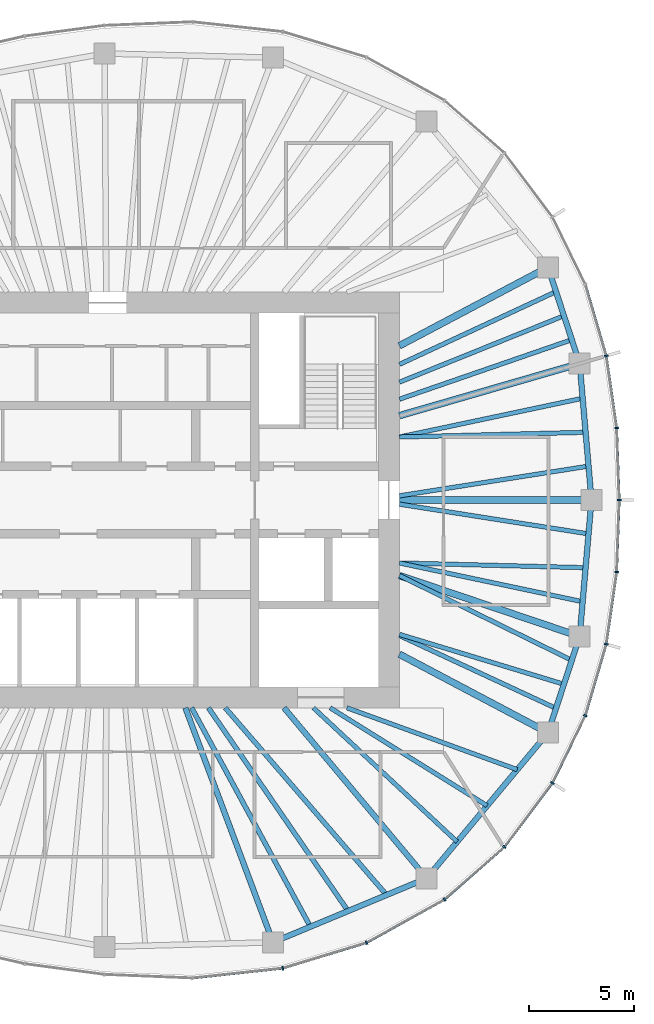
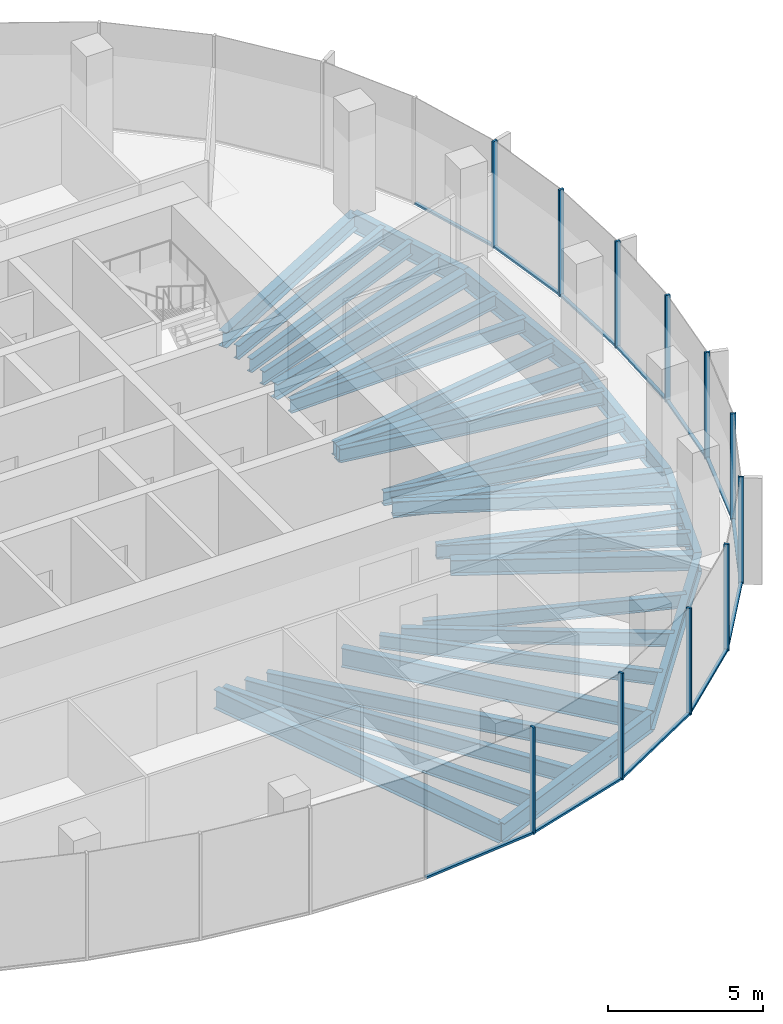
# One storey, part 4 of 11: 31 beams, 23 members, 7 elements without a shape of their own.
"""IFC4 building model written with IfcOpenShell, lengths in metres."""

from ifc_helpers import new_model, si_unit, direction, frame, origin, origin_2d, place, context, subcontext, project, spatial, rectangle, i_section, extrude, material, material_profile, profile_set, type_object, element, aggregate, save


model = new_model("IFC4")

# Units and contexts
model_context = context("Model", 3, precision=1e-05, world=origin(), true_north=direction((0.0, 1.0)))
body_context = subcontext(model_context, "Body", "Model", "MODEL_VIEW")
ifc_project = project(units=[si_unit("LENGTHUNIT", "METRE"), si_unit("AREAUNIT", "SQUARE_METRE"), si_unit("VOLUMEUNIT", "CUBIC_METRE"), si_unit("PLANEANGLEUNIT", "RADIAN"), si_unit("MASSUNIT", "GRAM", prefix="KILO")], contexts=[model_context])

# Site, building, storey
site_placement = place(None, origin())
site = spatial("IfcSite", under=ifc_project, at=site_placement, CompositionType="ELEMENT")
building_placement = place(site_placement, origin())
building = spatial("IfcBuilding", under=site, at=building_placement, Name="Ghaith Harvest Tower", CompositionType="ELEMENT")
storey_placement = place(building_placement, frame((0.0, 0.0, 309.0)))
storey = spatial("IfcBuildingStorey", under=building, at=storey_placement, Name="L69", CompositionType="ELEMENT", Elevation=309.0)

# Curtain wall, members
ifc_material_1 = material(Name="Black anodised aluminium and fritted glass", Category="aluminium")
curtain_wall_type = type_object("IfcCurtainWallType", Name="CW-T CURTAIN WALL", PredefinedType="NOTDEFINED", material=ifc_material_1)
curtain_wall_1_placement = place(storey_placement, origin())
curtain_wall_1 = element("IfcCurtainWall", 1, at=curtain_wall_1_placement, inside=storey, type_object=curtain_wall_type, Name="Curtain wall CW-T bay 01 L69", PredefinedType="NOTDEFINED")
ifc_material_2 = material(Name="Aluminium, black anodised", Category="aluminium")
ifc_material_profile_1 = material_profile(ifc_material_2, rectangle(XDim=0.080078125, YDim=0.179931640625, at=origin_2d()), Name="CW-T MULLION 80x180")
ifc_profile_set_1 = profile_set([ifc_material_profile_1], Name="Aluminium, black anodised")
member_type_1 = type_object("IfcMemberType", Name="CW-T MULLION 80x180", PredefinedType="MULLION", material=ifc_profile_set_1)
member_1_placement = place(storey_placement, frame((24.3701171875, 0.0, 0.0), z_axis=(0.0, 0.0, 1.0), x_axis=(5.2e-11, 1.0, 0.0)))
member_1 = element("IfcMember", 2, at=member_1_placement, type_object=member_type_1, Name="CW-T mullion 1 bay 01 L69", PredefinedType="MULLION", context=body_context, shape_type="SweptSolid", body=[
    extrude(rectangle(XDim=0.080078125, YDim=0.179931640625, at=origin_2d()), origin(), (0.0, 0.0, 1.0), 4.199951171875),
])
member_2_placement = place(storey_placement, frame((24.247802734375, 3.433837890625, 0.0), z_axis=(0.0, 0.0, 1.0), x_axis=(-0.089502202236, 0.995986624305, 0.0)))
member_2 = element("IfcMember", 3, at=member_2_placement, type_object=member_type_1, Name="CW-T mullion 2 bay 01 L69", PredefinedType="MULLION", context=body_context, shape_type="SweptSolid", body=[
    extrude(rectangle(XDim=0.080078125, YDim=0.179931640625, at=origin_2d()), origin(), (0.0, 0.0, 1.0), 4.199951171875),
])

# Curtain wall, member
curtain_wall_2_placement = place(storey_placement, origin())
curtain_wall_2 = element("IfcCurtainWall", 4, at=curtain_wall_2_placement, inside=storey, type_object=curtain_wall_type, Name="Curtain wall CW-T bay 02 L69", PredefinedType="NOTDEFINED")
member_3_placement = place(storey_placement, frame((23.753173828125, 6.865234375, 0.0), z_axis=(0.0, 0.0, 1.0), x_axis=(-0.21340203233, 0.976964468442, 0.0)))
member_3 = element("IfcMember", 5, at=member_3_placement, type_object=member_type_1, Name="CW-T mullion 1 bay 02 L69", PredefinedType="MULLION", context=body_context, shape_type="SweptSolid", body=[
    extrude(rectangle(XDim=0.080078125, YDim=0.179931640625, at=origin_2d()), origin(), (0.0, 0.0, 1.0), 4.199951171875),
])

# Curtain wall, members
curtain_wall_3_placement = place(storey_placement, origin())
curtain_wall_3 = element("IfcCurtainWall", 6, at=curtain_wall_3_placement, inside=storey, type_object=curtain_wall_type, Name="Curtain wall CW-T bay 17 L69", PredefinedType="NOTDEFINED")
member_4_placement = place(storey_placement, frame((8.33984375, -22.308837890625, 0.0), z_axis=(0.0, 0.0, 1.0), x_axis=(0.980000193265, 0.198996535647, 0.0)))
member_4 = element("IfcMember", 7, at=member_4_placement, type_object=member_type_1, Name="CW-T mullion 1 bay 17 L69", PredefinedType="MULLION", context=body_context, shape_type="SweptSolid", body=[
    extrude(rectangle(XDim=0.080078125, YDim=0.179931640625, at=origin_2d()), origin(), (0.0, 0.0, 1.0), 4.199951171875),
])
member_5_placement = place(storey_placement, frame((12.334228515625, -21.091796875, 0.0), z_axis=(0.0, 0.0, 1.0), x_axis=(0.920319269335, 0.391168048914, 0.0)))
member_5 = element("IfcMember", 8, at=member_5_placement, type_object=member_type_1, Name="CW-T mullion 2 bay 17 L69", PredefinedType="MULLION", context=body_context, shape_type="SweptSolid", body=[
    extrude(rectangle(XDim=0.080078125, YDim=0.179931640625, at=origin_2d()), origin(), (0.0, 0.0, 1.0), 4.199951171875),
])

curtain_wall_4_placement = place(storey_placement, origin())
curtain_wall_4 = element("IfcCurtainWall", 9, at=curtain_wall_4_placement, inside=storey, type_object=curtain_wall_type, Name="Curtain wall CW-T bay 18 L69", PredefinedType="NOTDEFINED")
member_6_placement = place(storey_placement, frame((16.04931640625, -19.031982421875, 0.0), z_axis=(0.0, 0.0, 1.0), x_axis=(0.821112053644, 0.570767023715, 0.0)))
member_6 = element("IfcMember", 10, at=member_6_placement, type_object=member_type_1, Name="CW-T mullion 1 bay 18 L69", PredefinedType="MULLION", context=body_context, shape_type="SweptSolid", body=[
    extrude(rectangle(XDim=0.080078125, YDim=0.179931640625, at=origin_2d()), origin(), (0.0, 0.0, 1.0), 4.199951171875),
])
member_7_placement = place(storey_placement, frame((18.901123046875, -16.527099609375, 0.0), z_axis=(0.0, 0.0, 1.0), x_axis=(0.679660897254, 0.733526458108, 0.0)))
member_7 = element("IfcMember", 11, at=member_7_placement, type_object=member_type_1, Name="CW-T mullion 2 bay 18 L69", PredefinedType="MULLION", context=body_context, shape_type="SweptSolid", body=[
    extrude(rectangle(XDim=0.080078125, YDim=0.179931640625, at=origin_2d()), origin(), (0.0, 0.0, 1.0), 4.199951171875),
])

curtain_wall_5_placement = place(storey_placement, origin())
curtain_wall_5 = element("IfcCurtainWall", 12, at=curtain_wall_5_placement, inside=storey, type_object=curtain_wall_type, Name="Curtain wall CW-T bay 19 L69", PredefinedType="NOTDEFINED")
member_8_placement = place(storey_placement, frame((21.18896484375, -13.48486328125, 0.0), z_axis=(0.0, 0.0, 1.0), x_axis=(0.524482238715, 0.85142138878, 0.0)))
member_8 = element("IfcMember", 13, at=member_8_placement, type_object=member_type_1, Name="CW-T mullion 1 bay 19 L69", PredefinedType="MULLION", context=body_context, shape_type="SweptSolid", body=[
    extrude(rectangle(XDim=0.080078125, YDim=0.179931640625, at=origin_2d()), origin(), (0.0, 0.0, 1.0), 4.199951171875),
])
member_9_placement = place(storey_placement, frame((22.754150390625, -10.272216796875, 0.0), z_axis=(0.0, 0.0, 1.0), x_axis=(0.361184273904, 0.932494461262, 0.0)))
member_9 = element("IfcMember", 14, at=member_9_placement, type_object=member_type_1, Name="CW-T mullion 2 bay 19 L69", PredefinedType="MULLION", context=body_context, shape_type="SweptSolid", body=[
    extrude(rectangle(XDim=0.080078125, YDim=0.179931640625, at=origin_2d()), origin(), (0.0, 0.0, 1.0), 4.199951171875),
])

curtain_wall_6_placement = place(storey_placement, origin())
curtain_wall_6 = element("IfcCurtainWall", 15, at=curtain_wall_6_placement, inside=storey, type_object=curtain_wall_type, Name="Curtain wall CW-T bay 20 L69", PredefinedType="NOTDEFINED")
member_10_placement = place(storey_placement, frame((23.753173828125, -6.865234375, 0.0), z_axis=(0.0, 0.0, 1.0), x_axis=(0.213402032501, 0.976964468404, 0.0)))
member_10 = element("IfcMember", 16, at=member_10_placement, type_object=member_type_1, Name="CW-T mullion 1 bay 20 L69", PredefinedType="MULLION", context=body_context, shape_type="SweptSolid", body=[
    extrude(rectangle(XDim=0.080078125, YDim=0.179931640625, at=origin_2d()), origin(), (0.0, 0.0, 1.0), 4.199951171875),
])
member_11_placement = place(storey_placement, frame((24.247802734375, -3.433837890625, 0.0), z_axis=(0.0, 0.0, 1.0), x_axis=(0.089502202305, 0.995986624299, 0.0)))
member_11 = element("IfcMember", 17, at=member_11_placement, type_object=member_type_1, Name="CW-T mullion 2 bay 20 L69", PredefinedType="MULLION", context=body_context, shape_type="SweptSolid", body=[
    extrude(rectangle(XDim=0.080078125, YDim=0.179931640625, at=origin_2d()), origin(), (0.0, 0.0, 1.0), 4.199951171875),
])

# Member
ifc_material_3 = material(Name="Aluminium, black anodised", Category="aluminium")
ifc_material_profile_2 = material_profile(ifc_material_3, rectangle(XDim=0.1201171875, YDim=0.080078125, at=origin_2d()), Name="CW-T TRANSOM 120x80")
ifc_profile_set_2 = profile_set([ifc_material_profile_2], Name="Aluminium, black anodised")
member_type_2 = type_object("IfcMemberType", Name="CW-T TRANSOM 120x80", PredefinedType="USERDEFINED", material=ifc_profile_set_2)
member_12_placement = place(storey_placement, frame((24.36865234375, 0.0400390625, 0.0400390625), z_axis=(-0.035574759537, 0.999367017909, 0.0), x_axis=(-0.999367017909, -0.035574759537, 0.0)))
member_12 = element("IfcMember", 18, at=member_12_placement, type_object=member_type_2, Name="CW-T transom 1 bay 01 L69", ObjectType="TRANSOM", PredefinedType="USERDEFINED", context=body_context, shape_type="SweptSolid", body=[
    extrude(rectangle(XDim=0.1201171875, YDim=0.080078125, at=origin_2d()), origin(), (0.0, 0.0, 1.0), 3.35595703125),
])

member_13_placement = place(storey_placement, frame((24.2421875, 3.473388671875, 0.0400390625), z_axis=(-0.142733224301, 0.989761196795, 0.0), x_axis=(-0.989761196795, -0.142733224301, 0.0)))
member_13 = element("IfcMember", 19, at=member_13_placement, type_object=member_type_2, Name="CW-T transom 2 bay 01 L69", ObjectType="TRANSOM", PredefinedType="USERDEFINED", context=body_context, shape_type="SweptSolid", body=[
    extrude(rectangle(XDim=0.1201171875, YDim=0.080078125, at=origin_2d()), origin(), (0.0, 0.0, 1.0), 3.38671875),
])

aggregate(curtain_wall_1, [member_1, member_12, member_2, member_13])

member_14_placement = place(storey_placement, frame((23.741943359375, 6.903564453125, 0.0400390625), z_axis=(-0.281385475469, 0.95959481772, 0.0), x_axis=(-0.95959481772, -0.281385475469, 0.0)))
member_14 = element("IfcMember", 20, at=member_14_placement, type_object=member_type_2, Name="CW-T transom 1 bay 02 L69", ObjectType="TRANSOM", PredefinedType="USERDEFINED", context=body_context, shape_type="SweptSolid", body=[
    extrude(rectangle(XDim=0.1201171875, YDim=0.080078125, at=origin_2d()), origin(), (0.0, 0.0, 1.0), 3.470458984375),
])

aggregate(curtain_wall_2, [member_3, member_14])

# Curtain wall, member
curtain_wall_7_placement = place(storey_placement, origin())
curtain_wall_7 = element("IfcCurtainWall", 21, at=curtain_wall_7_placement, inside=storey, type_object=curtain_wall_type, Name="Curtain wall CW-T bay 16 L69", PredefinedType="NOTDEFINED")
member_15_placement = place(storey_placement, frame((4.077392578125, -22.772216796875, 0.0400390625), z_axis=(0.994144463069, 0.108059180768, 0.0), x_axis=(-0.108059180768, 0.994144463069, 0.0)))
member_15 = element("IfcMember", 22, at=member_15_placement, type_object=member_type_2, Name="CW-T transom 2 bay 16 L69", ObjectType="TRANSOM", PredefinedType="USERDEFINED", context=body_context, shape_type="SweptSolid", body=[
    extrude(rectangle(XDim=0.1201171875, YDim=0.080078125, at=origin_2d()), origin(), (0.0, 0.0, 1.0), 4.24755859375),
])
aggregate(curtain_wall_7, [member_15])

# Member
member_16_placement = place(storey_placement, frame((8.378173828125, -22.297119140625, 0.0400390625), z_axis=(0.956593713342, 0.291424891858, 0.0), x_axis=(-0.291424891858, 0.956593713342, 0.0)))
member_16 = element("IfcMember", 23, at=member_16_placement, type_object=member_type_2, Name="CW-T transom 1 bay 17 L69", ObjectType="TRANSOM", PredefinedType="USERDEFINED", context=body_context, shape_type="SweptSolid", body=[
    extrude(rectangle(XDim=0.1201171875, YDim=0.080078125, at=origin_2d()), origin(), (0.0, 0.0, 1.0), 4.095703125),
])

member_17_placement = place(storey_placement, frame((12.369384765625, -21.072509765625, 0.0400390625), z_axis=(0.874552130553, 0.484931511603, 0.0), x_axis=(-0.484931511603, 0.874552130553, 0.0)))
member_17 = element("IfcMember", 24, at=member_17_placement, type_object=member_type_2, Name="CW-T transom 2 bay 17 L69", ObjectType="TRANSOM", PredefinedType="USERDEFINED", context=body_context, shape_type="SweptSolid", body=[
    extrude(rectangle(XDim=0.1201171875, YDim=0.080078125, at=origin_2d()), origin(), (0.0, 0.0, 1.0), 4.16748046875),
])

aggregate(curtain_wall_3, [member_4, member_16, member_5, member_17])

member_18_placement = place(storey_placement, frame((16.079345703125, -19.005615234375, 0.0400390625), z_axis=(0.751325799984, 0.659931467865, 0.0), x_axis=(-0.659931467865, 0.751325799984, 0.0)))
member_18 = element("IfcMember", 25, at=member_18_placement, type_object=member_type_2, Name="CW-T transom 1 bay 18 L69", ObjectType="TRANSOM", PredefinedType="USERDEFINED", context=body_context, shape_type="SweptSolid", body=[
    extrude(rectangle(XDim=0.1201171875, YDim=0.080078125, at=origin_2d()), origin(), (0.0, 0.0, 1.0), 3.7158203125),
])

member_19_placement = place(storey_placement, frame((18.925048828125, -16.4951171875, 0.0400390625), z_axis=(0.601079103045, 0.799189534392, 0.0), x_axis=(-0.799189534392, 0.601079103045, 0.0)))
member_19 = element("IfcMember", 26, at=member_19_placement, type_object=member_type_2, Name="CW-T transom 2 bay 18 L69", ObjectType="TRANSOM", PredefinedType="USERDEFINED", context=body_context, shape_type="SweptSolid", body=[
    extrude(rectangle(XDim=0.1201171875, YDim=0.080078125, at=origin_2d()), origin(), (0.0, 0.0, 1.0), 3.7265625),
])

aggregate(curtain_wall_4, [member_6, member_18, member_7, member_19])

member_20_placement = place(storey_placement, frame((21.20654296875, -13.448974609375, 0.0400390625), z_axis=(0.437965078712, 0.898991985408, 0.0), x_axis=(-0.898991985408, 0.437965078712, 0.0)))
member_20 = element("IfcMember", 27, at=member_20_placement, type_object=member_type_2, Name="CW-T transom 1 bay 19 L69", ObjectType="TRANSOM", PredefinedType="USERDEFINED", context=body_context, shape_type="SweptSolid", body=[
    extrude(rectangle(XDim=0.1201171875, YDim=0.080078125, at=origin_2d()), origin(), (0.0, 0.0, 1.0), 3.493408203125),
])

member_21_placement = place(storey_placement, frame((22.765380859375, -10.23388671875, 0.0400390625), z_axis=(0.281385475469, 0.95959481772, 0.0), x_axis=(-0.95959481772, 0.281385475469, 0.0)))
member_21 = element("IfcMember", 28, at=member_21_placement, type_object=member_type_2, Name="CW-T transom 2 bay 19 L69", ObjectType="TRANSOM", PredefinedType="USERDEFINED", context=body_context, shape_type="SweptSolid", body=[
    extrude(rectangle(XDim=0.1201171875, YDim=0.080078125, at=origin_2d()), origin(), (0.0, 0.0, 1.0), 3.470458984375),
])

aggregate(curtain_wall_5, [member_8, member_20, member_9, member_21])

member_22_placement = place(storey_placement, frame((23.7587890625, -6.825439453125, 0.0400390625), z_axis=(0.142733224301, 0.989761196795, 0.0), x_axis=(-0.989761196795, 0.142733224301, 0.0)))
member_22 = element("IfcMember", 29, at=member_22_placement, type_object=member_type_2, Name="CW-T transom 1 bay 20 L69", ObjectType="TRANSOM", PredefinedType="USERDEFINED", context=body_context, shape_type="SweptSolid", body=[
    extrude(rectangle(XDim=0.1201171875, YDim=0.080078125, at=origin_2d()), origin(), (0.0, 0.0, 1.0), 3.38671875),
])

member_23_placement = place(storey_placement, frame((24.249267578125, -3.393798828125, 0.0400390625), z_axis=(0.035574759537, 0.999367017909, 0.0), x_axis=(-0.999367017909, 0.035574759537, 0.0)))
member_23 = element("IfcMember", 30, at=member_23_placement, type_object=member_type_2, Name="CW-T transom 2 bay 20 L69", ObjectType="TRANSOM", PredefinedType="USERDEFINED", context=body_context, shape_type="SweptSolid", body=[
    extrude(rectangle(XDim=0.1201171875, YDim=0.080078125, at=origin_2d()), origin(), (0.0, 0.0, 1.0), 3.35595703125),
])

aggregate(curtain_wall_6, [member_10, member_22, member_11, member_23])

# Beams
ifc_material_4 = material(Name="Steel ASTM A992 Grade 50", Category="steel")
ifc_material_profile_3 = material_profile(ifc_material_4, i_section(OverallWidth=0.26611328125, OverallDepth=0.758056640625, WebThickness=0.013916015625, FlangeThickness=0.019287109375, at=origin_2d()), Name="W760X161")
ifc_profile_set_3 = profile_set([ifc_material_profile_3], Name="Steel ASTM A992 Grade 50")
beam_type_1 = type_object("IfcBeamType", Name="E760-161 W760X161", PredefinedType="SPANDREL", material=ifc_profile_set_3)
beam_1_placement = place(storey_placement, frame((23.050048828125, 0.0, -0.549072265625), z_axis=(-0.086600547306, 0.996243115513, 0.0), x_axis=(-0.996243115513, -0.086600547306, 0.0)))
element("IfcBeam", 31, at=beam_1_placement, inside=storey, type_object=beam_type_1, Name="Edge beam E01 L69", PredefinedType="SPANDREL", context=body_context, shape_type="SweptSolid", body=[
    extrude(i_section(OverallWidth=0.26611328125, OverallDepth=0.758056640625, WebThickness=0.013916015625, FlangeThickness=0.019287109375, at=origin_2d()), origin(), (0.0, 0.0, 1.0), 6.5234375),
])
beam_2_placement = place(storey_placement, frame((22.485107421875, 6.4990234375, -0.549072265625), z_axis=(-0.312206727278, 0.950014189074, 0.0), x_axis=(-0.950014189074, -0.312206727278, 0.0)))
element("IfcBeam", 32, at=beam_2_placement, inside=storey, type_object=beam_type_1, Name="Edge beam E02 L69", PredefinedType="SPANDREL", context=body_context, shape_type="SweptSolid", body=[
    extrude(i_section(OverallWidth=0.26611328125, OverallDepth=0.758056640625, WebThickness=0.013916015625, FlangeThickness=0.019287109375, at=origin_2d()), origin(), (0.0, 0.0, 1.0), 4.830322265625),
])
beam_3_placement = place(storey_placement, frame((7.8779296875, -21.072021484375, -0.549072265625), z_axis=(0.923119729219, 0.384512633766, 0.0), x_axis=(-0.384512633766, 0.923119729219, 0.0)))
element("IfcBeam", 33, at=beam_3_placement, inside=storey, type_object=beam_type_1, Name="Edge beam E17 L69", PredefinedType="SPANDREL", context=body_context, shape_type="SweptSolid", body=[
    extrude(i_section(OverallWidth=0.26611328125, OverallDepth=0.758056640625, WebThickness=0.013916015625, FlangeThickness=0.019287109375, at=origin_2d()), origin(), (0.0, 0.0, 1.0), 7.9296875),
])
beam_4_placement = place(storey_placement, frame((15.197998046875, -18.02294921875, -0.549072265625), z_axis=(0.640173759088, 0.76823014662, 0.0), x_axis=(-0.76823014662, 0.640173759088, 0.0)))
element("IfcBeam", 34, at=beam_4_placement, inside=storey, type_object=beam_type_1, Name="Edge beam E18 L69", PredefinedType="SPANDREL", context=body_context, shape_type="SweptSolid", body=[
    extrude(i_section(OverallWidth=0.26611328125, OverallDepth=0.758056640625, WebThickness=0.013916015625, FlangeThickness=0.019287109375, at=origin_2d()), origin(), (0.0, 0.0, 1.0), 9.02734375),
])
beam_5_placement = place(storey_placement, frame((20.97705078125, -11.087890625, -0.549072265625), z_axis=(0.312206727278, 0.950014189074, 0.0), x_axis=(-0.950014189074, 0.312206727278, 0.0)))
element("IfcBeam", 35, at=beam_5_placement, inside=storey, type_object=beam_type_1, Name="Edge beam E19 L69", PredefinedType="SPANDREL", context=body_context, shape_type="SweptSolid", body=[
    extrude(i_section(OverallWidth=0.26611328125, OverallDepth=0.758056640625, WebThickness=0.013916015625, FlangeThickness=0.019287109375, at=origin_2d()), origin(), (0.0, 0.0, 1.0), 4.830322265625),
])
beam_6_placement = place(storey_placement, frame((22.485107421875, -6.4990234375, -0.549072265625), z_axis=(0.086600547306, 0.996243115513, 0.0), x_axis=(-0.996243115513, 0.086600547306, 0.0)))
element("IfcBeam", 36, at=beam_6_placement, inside=storey, type_object=beam_type_1, Name="Edge beam E20 L69", PredefinedType="SPANDREL", context=body_context, shape_type="SweptSolid", body=[
    extrude(i_section(OverallWidth=0.26611328125, OverallDepth=0.758056640625, WebThickness=0.013916015625, FlangeThickness=0.019287109375, at=origin_2d()), origin(), (0.0, 0.0, 1.0), 6.5234375),
])
ifc_material_5 = material(Name="Steel ASTM A992 Grade 50", Category="steel")
ifc_material_profile_4 = material_profile(ifc_material_5, i_section(OverallWidth=0.323974609375, OverallDepth=0.611083984375, WebThickness=0.0126953125, FlangeThickness=0.01904296875, at=origin_2d()), Name="W610X155")
ifc_profile_set_4 = profile_set([ifc_material_profile_4], Name="Steel ASTM A992 Grade 50")
beam_type_2 = type_object("IfcBeamType", Name="G610-155 W610X155", PredefinedType="BEAM", material=ifc_profile_set_4)
beam_7_placement = place(storey_placement, frame((13.89990234375, 0.0, -0.4755859375), z_axis=(1.0, 0.0, 0.0), x_axis=(0.0, 1.0, 0.0)))
element("IfcBeam", 37, at=beam_7_placement, inside=storey, type_object=beam_type_2, Name="Radial girder G01 L69", PredefinedType="BEAM", context=body_context, shape_type="SweptSolid", body=[
    extrude(i_section(OverallWidth=0.323974609375, OverallDepth=0.611083984375, WebThickness=0.0126953125, FlangeThickness=0.01904296875, at=origin_2d()), origin(), (0.0, 0.0, 1.0), 9.150146484375),
])
beam_8_placement = place(storey_placement, frame((13.89990234375, 4.017333984375, -0.4755859375), z_axis=(0.960668846071, 0.27769653975, 0.0), x_axis=(-0.27769653975, 0.960668846071, 0.0)))
element("IfcBeam", 38, at=beam_8_placement, inside=storey, type_object=beam_type_2, Name="Radial girder G02 L69", PredefinedType="BEAM", context=body_context, shape_type="SweptSolid", body=[
    extrude(i_section(OverallWidth=0.323974609375, OverallDepth=0.611083984375, WebThickness=0.0126953125, FlangeThickness=0.01904296875, at=origin_2d()), origin(), (0.0, 0.0, 1.0), 8.936767578125),
])
for number, where, z_axis, x_axis, name in (
    (39, (13.89990234375, 7.34716796875, -0.4755859375), (0.884097820364, 0.467301876764, 0.0), (-0.467301876764, 0.884097820364, 0.0), "Radial girder G03 L69"),
    (40, (13.89990234375, -7.34716796875, -0.4755859375), (0.884097820364, -0.467301876764, 0.0), (0.467301876764, 0.884097820364, 0.0), "Radial girder G19 L69"),
):
    element("IfcBeam", number, at=place(storey_placement, frame(where, z_axis=z_axis, x_axis=x_axis)), inside=storey, type_object=beam_type_2, Name=name, PredefinedType="BEAM", context=body_context, shape_type="SweptSolid", body=[
        extrude(i_section(OverallWidth=0.323974609375, OverallDepth=0.611083984375, WebThickness=0.0126953125, FlangeThickness=0.01904296875, at=origin_2d()), origin(), (0.0, 0.0, 1.0), 8.0048828125),
    ])
beam_9_placement = place(storey_placement, frame((13.89990234375, -3.60009765625, -0.4755859375), z_axis=(0.947444819082, -0.319919231673, 0.0), x_axis=(0.319919231673, 0.947444819082, 0.0)))
element("IfcBeam", 41, at=beam_9_placement, inside=storey, type_object=beam_type_2, Name="Radial girder G20 L69", PredefinedType="BEAM", context=body_context, shape_type="SweptSolid", body=[
    extrude(i_section(OverallWidth=0.323974609375, OverallDepth=0.611083984375, WebThickness=0.0126953125, FlangeThickness=0.01904296875, at=origin_2d()), origin(), (0.0, 0.0, 1.0), 9.0615234375),
])
ifc_material_6 = material(Name="Steel ASTM A992 Grade 50", Category="steel")
ifc_material_profile_5 = material_profile(ifc_material_6, i_section(OverallWidth=0.26611328125, OverallDepth=0.758056640625, WebThickness=0.013916015625, FlangeThickness=0.019287109375, at=origin_2d()), Name="W760X161")
ifc_profile_set_5 = profile_set([ifc_material_profile_5], Name="Steel ASTM A992 Grade 50")
beam_type_3 = type_object("IfcBeamType", Name="G760-161 W760X161", PredefinedType="BEAM", material=ifc_profile_set_5)
beam_10_placement = place(storey_placement, frame((3.700927734375, -9.89990234375, -0.549072265625), z_axis=(0.350201332531, -0.936674450753, 0.0), x_axis=(0.936674450753, 0.350201332531, 0.0)))
element("IfcBeam", 42, at=beam_10_placement, inside=storey, type_object=beam_type_3, Name="Radial girder G17 L69", PredefinedType="BEAM", context=body_context, shape_type="SweptSolid", body=[
    extrude(i_section(OverallWidth=0.26611328125, OverallDepth=0.758056640625, WebThickness=0.013916015625, FlangeThickness=0.019287109375, at=origin_2d()), origin(), (0.0, 0.0, 1.0), 11.927490234375),
])
beam_11_placement = place(storey_placement, frame((8.39990234375, -9.89990234375, -0.549072265625), z_axis=(0.641792628883, -0.766878231215, 0.0), x_axis=(0.766878231215, 0.641792628883, 0.0)))
element("IfcBeam", 43, at=beam_11_placement, inside=storey, type_object=beam_type_3, Name="Radial girder G18 L69", PredefinedType="BEAM", context=body_context, shape_type="SweptSolid", body=[
    extrude(i_section(OverallWidth=0.26611328125, OverallDepth=0.758056640625, WebThickness=0.013916015625, FlangeThickness=0.019287109375, at=origin_2d()), origin(), (0.0, 0.0, 1.0), 10.59228515625),
])
ifc_material_7 = material(Name="Steel ASTM A992 Grade 50", Category="steel")
ifc_material_profile_6 = material_profile(ifc_material_7, i_section(OverallWidth=0.2109375, OverallDepth=0.5390625, WebThickness=0.01171875, FlangeThickness=0.018798828125, at=origin_2d()), Name="W530X109")
ifc_profile_set_6 = profile_set([ifc_material_profile_6], Name="Steel ASTM A992 Grade 50")
beam_type_4 = type_object("IfcBeamType", Name="J530-109 W530X109", PredefinedType="JOIST", material=ifc_profile_set_6)
beam_12_placement = place(storey_placement, frame((13.89990234375, 0.199951171875, -0.439453125), z_axis=(0.987906665526, 0.155049734628, 0.0), x_axis=(-0.155049734628, 0.987906665526, 0.0)))
element("IfcBeam", 44, at=beam_12_placement, inside=storey, type_object=beam_type_4, Name="Joist J01.1 L69", PredefinedType="JOIST", context=body_context, shape_type="SweptSolid", body=[
    extrude(i_section(OverallWidth=0.2109375, OverallDepth=0.5390625, WebThickness=0.01171875, FlangeThickness=0.018798828125, at=origin_2d()), origin(), (0.0, 0.0, 1.0), 9.1201171875),
])
beam_13_placement = place(storey_placement, frame((13.89990234375, 3.0, -0.439453125), z_axis=(0.999679533859, 0.025314612071, 0.0), x_axis=(-0.025314612071, 0.999679533859, 0.0)))
element("IfcBeam", 45, at=beam_13_placement, inside=storey, type_object=beam_type_4, Name="Joist J01.2 L69", PredefinedType="JOIST", context=body_context, shape_type="SweptSolid", body=[
    extrude(i_section(OverallWidth=0.2109375, OverallDepth=0.5390625, WebThickness=0.01171875, FlangeThickness=0.018798828125, at=origin_2d()), origin(), (0.0, 0.0, 1.0), 8.872802734375),
])
beam_14_placement = place(storey_placement, frame((13.89990234375, 3.0, -0.439453125), z_axis=(0.97833382446, 0.207033639579, 0.0), x_axis=(-0.207033639579, 0.97833382446, 0.0)))
element("IfcBeam", 46, at=beam_14_placement, inside=storey, type_object=beam_type_4, Name="Joist J01.3 L69", PredefinedType="JOIST", context=body_context, shape_type="SweptSolid", body=[
    extrude(i_section(OverallWidth=0.2109375, OverallDepth=0.5390625, WebThickness=0.01171875, FlangeThickness=0.018798828125, at=origin_2d()), origin(), (0.0, 0.0, 1.0), 8.922119140625),
])
beam_15_placement = place(storey_placement, frame((13.89990234375, 4.801025390625, -0.439453125), z_axis=(0.945204712775, 0.326478254937, 0.0), x_axis=(-0.326478254937, 0.945204712775, 0.0)))
element("IfcBeam", 47, at=beam_15_placement, inside=storey, type_object=beam_type_4, Name="Joist J02.1 L69", PredefinedType="JOIST", context=body_context, shape_type="SweptSolid", body=[
    extrude(i_section(OverallWidth=0.2109375, OverallDepth=0.5390625, WebThickness=0.01171875, FlangeThickness=0.018798828125, at=origin_2d()), origin(), (0.0, 0.0, 1.0), 8.687255859375),
])
beam_16_placement = place(storey_placement, frame((13.89990234375, 5.61328125, -0.439453125), z_axis=(0.927254375113, 0.374432001615, 0.0), x_axis=(-0.374432001615, 0.927254375113, 0.0)))
element("IfcBeam", 48, at=beam_16_placement, inside=storey, type_object=beam_type_4, Name="Joist J02.2 L69", PredefinedType="JOIST", context=body_context, shape_type="SweptSolid", body=[
    extrude(i_section(OverallWidth=0.2109375, OverallDepth=0.5390625, WebThickness=0.01171875, FlangeThickness=0.018798828125, at=origin_2d()), origin(), (0.0, 0.0, 1.0), 8.450927734375),
])
beam_17_placement = place(storey_placement, frame((13.89990234375, 6.45947265625, -0.439453125), z_axis=(0.906859906661, 0.42143221245, 0.0), x_axis=(-0.42143221245, 0.906859906661, 0.0)))
element("IfcBeam", 49, at=beam_17_placement, inside=storey, type_object=beam_type_4, Name="Joist J02.3 L69", PredefinedType="JOIST", context=body_context, shape_type="SweptSolid", body=[
    extrude(i_section(OverallWidth=0.2109375, OverallDepth=0.5390625, WebThickness=0.01171875, FlangeThickness=0.018798828125, at=origin_2d()), origin(), (0.0, 0.0, 1.0), 8.22509765625),
])
beam_18_placement = place(storey_placement, frame((9.800048828125, -9.89990234375, -0.439453125), z_axis=(0.73164904944, -0.681681500742, 0.0), x_axis=(0.681681500742, 0.73164904944, 0.0)))
element("IfcBeam", 50, at=beam_18_placement, inside=storey, type_object=beam_type_4, Name="Joist J18.1 L69", PredefinedType="JOIST", context=body_context, shape_type="SweptSolid", body=[
    extrude(i_section(OverallWidth=0.2109375, OverallDepth=0.5390625, WebThickness=0.01171875, FlangeThickness=0.018798828125, at=origin_2d()), origin(), (0.0, 0.0, 1.0), 9.361572265625),
])
beam_19_placement = place(storey_placement, frame((10.60009765625, -9.89990234375, -0.439453125), z_axis=(0.84837619421, -0.52939383553, 0.0), x_axis=(0.52939383553, 0.84837619421, 0.0)))
element("IfcBeam", 51, at=beam_19_placement, inside=storey, type_object=beam_type_4, Name="Joist J18.2 L69", PredefinedType="JOIST", context=body_context, shape_type="SweptSolid", body=[
    extrude(i_section(OverallWidth=0.2109375, OverallDepth=0.5390625, WebThickness=0.01171875, FlangeThickness=0.018798828125, at=origin_2d()), origin(), (0.0, 0.0, 1.0), 8.814697265625),
])
beam_20_placement = place(storey_placement, frame((11.39990234375, -9.89990234375, -0.439453125), z_axis=(0.939925501564, -0.341379629605, 0.0), x_axis=(0.341379629605, 0.939925501564, 0.0)))
element("IfcBeam", 52, at=beam_20_placement, inside=storey, type_object=beam_type_4, Name="Joist J18.3 L69", PredefinedType="JOIST", context=body_context, shape_type="SweptSolid", body=[
    extrude(i_section(OverallWidth=0.2109375, OverallDepth=0.5390625, WebThickness=0.01171875, FlangeThickness=0.018798828125, at=origin_2d()), origin(), (0.0, 0.0, 1.0), 8.630615234375),
])
beam_21_placement = place(storey_placement, frame((13.89990234375, -6.45947265625, -0.439453125), z_axis=(0.906859906661, -0.42143221245, 0.0), x_axis=(0.42143221245, 0.906859906661, 0.0)))
element("IfcBeam", 53, at=beam_21_placement, inside=storey, type_object=beam_type_4, Name="Joist J19.1 L69", PredefinedType="JOIST", context=body_context, shape_type="SweptSolid", body=[
    extrude(i_section(OverallWidth=0.2109375, OverallDepth=0.5390625, WebThickness=0.01171875, FlangeThickness=0.018798828125, at=origin_2d()), origin(), (0.0, 0.0, 1.0), 8.22509765625),
])
beam_22_placement = place(storey_placement, frame((13.89990234375, -6.39990234375, -0.439453125), z_axis=(0.9569197823, -0.290352424208, 0.0), x_axis=(0.290352424208, 0.9569197823, 0.0)))
element("IfcBeam", 54, at=beam_22_placement, inside=storey, type_object=beam_type_4, Name="Joist J19.2 L69", PredefinedType="JOIST", context=body_context, shape_type="SweptSolid", body=[
    extrude(i_section(OverallWidth=0.2109375, OverallDepth=0.5390625, WebThickness=0.01171875, FlangeThickness=0.018798828125, at=origin_2d()), origin(), (0.0, 0.0, 1.0), 8.18896484375),
])
beam_23_placement = place(storey_placement, frame((13.89990234375, -3.60009765625, -0.439453125), z_axis=(0.89740088778, -0.441216099674, 0.0), x_axis=(0.441216099674, 0.89740088778, 0.0)))
element("IfcBeam", 55, at=beam_23_placement, inside=storey, type_object=beam_type_4, Name="Joist J19.3 L69", PredefinedType="JOIST", context=body_context, shape_type="SweptSolid", body=[
    extrude(i_section(OverallWidth=0.2109375, OverallDepth=0.5390625, WebThickness=0.01171875, FlangeThickness=0.018798828125, at=origin_2d()), origin(), (0.0, 0.0, 1.0), 9.14990234375),
])
beam_24_placement = place(storey_placement, frame((13.89990234375, -3.0, -0.439453125), z_axis=(0.97833382446, -0.207033639579, 0.0), x_axis=(0.207033639579, 0.97833382446, 0.0)))
element("IfcBeam", 56, at=beam_24_placement, inside=storey, type_object=beam_type_4, Name="Joist J20.1 L69", PredefinedType="JOIST", context=body_context, shape_type="SweptSolid", body=[
    extrude(i_section(OverallWidth=0.2109375, OverallDepth=0.5390625, WebThickness=0.01171875, FlangeThickness=0.018798828125, at=origin_2d()), origin(), (0.0, 0.0, 1.0), 8.922119140625),
])
beam_25_placement = place(storey_placement, frame((13.89990234375, -3.0, -0.439453125), z_axis=(0.999679533859, -0.025314612071, 0.0), x_axis=(0.025314612071, 0.999679533859, 0.0)))
element("IfcBeam", 57, at=beam_25_placement, inside=storey, type_object=beam_type_4, Name="Joist J20.2 L69", PredefinedType="JOIST", context=body_context, shape_type="SweptSolid", body=[
    extrude(i_section(OverallWidth=0.2109375, OverallDepth=0.5390625, WebThickness=0.01171875, FlangeThickness=0.018798828125, at=origin_2d()), origin(), (0.0, 0.0, 1.0), 8.872802734375),
])
beam_26_placement = place(storey_placement, frame((13.89990234375, -0.199951171875, -0.439453125), z_axis=(0.987906665526, -0.155049734628, 0.0), x_axis=(0.155049734628, 0.987906665526, 0.0)))
element("IfcBeam", 58, at=beam_26_placement, inside=storey, type_object=beam_type_4, Name="Joist J20.3 L69", PredefinedType="JOIST", context=body_context, shape_type="SweptSolid", body=[
    extrude(i_section(OverallWidth=0.2109375, OverallDepth=0.5390625, WebThickness=0.01171875, FlangeThickness=0.018798828125, at=origin_2d()), origin(), (0.0, 0.0, 1.0), 9.1201171875),
])
ifc_material_8 = material(Name="Steel ASTM A992 Grade 50", Category="steel")
ifc_material_profile_7 = material_profile(ifc_material_8, i_section(OverallWidth=0.22998046875, OverallDepth=0.616943359375, WebThickness=0.01318359375, FlangeThickness=0.022216796875, at=origin_2d()), Name="W610X140")
ifc_profile_set_7 = profile_set([ifc_material_profile_7], Name="Steel ASTM A992 Grade 50")
beam_type_5 = type_object("IfcBeamType", Name="J610-140 W610X140", PredefinedType="JOIST", material=ifc_profile_set_7)
beam_27_placement = place(storey_placement, frame((4.0, -9.89990234375, -0.478515625), z_axis=(0.476764926531, -0.879030832696, 0.0), x_axis=(0.879030832696, 0.476764926531, 0.0)))
element("IfcBeam", 59, at=beam_27_placement, inside=storey, type_object=beam_type_5, Name="Joist J17.1 L69", PredefinedType="JOIST", context=body_context, shape_type="SweptSolid", body=[
    extrude(i_section(OverallWidth=0.22998046875, OverallDepth=0.616943359375, WebThickness=0.01318359375, FlangeThickness=0.022216796875, at=origin_2d()), origin(), (0.0, 0.0, 1.0), 11.866455078125),
])
beam_28_placement = place(storey_placement, frame((4.800048828125, -9.89990234375, -0.478515625), z_axis=(0.566228035119, -0.824248634967, 0.0), x_axis=(0.824248634967, 0.566228035119, 0.0)))
element("IfcBeam", 60, at=beam_28_placement, inside=storey, type_object=beam_type_5, Name="Joist J17.2 L69", PredefinedType="JOIST", context=body_context, shape_type="SweptSolid", body=[
    extrude(i_section(OverallWidth=0.22998046875, OverallDepth=0.616943359375, WebThickness=0.01318359375, FlangeThickness=0.022216796875, at=origin_2d()), origin(), (0.0, 0.0, 1.0), 11.748046875),
])
beam_29_placement = place(storey_placement, frame((5.60009765625, -9.89990234375, -0.478515625), z_axis=(0.652992938501, -0.757363995888, 0.0), x_axis=(0.757363995888, 0.652992938501, 0.0)))
element("IfcBeam", 61, at=beam_29_placement, inside=storey, type_object=beam_type_5, Name="Joist J17.3 L69", PredefinedType="JOIST", context=body_context, shape_type="SweptSolid", body=[
    extrude(i_section(OverallWidth=0.22998046875, OverallDepth=0.616943359375, WebThickness=0.01318359375, FlangeThickness=0.022216796875, at=origin_2d()), origin(), (0.0, 0.0, 1.0), 11.775390625),
])

save(model, "model.ifc")
